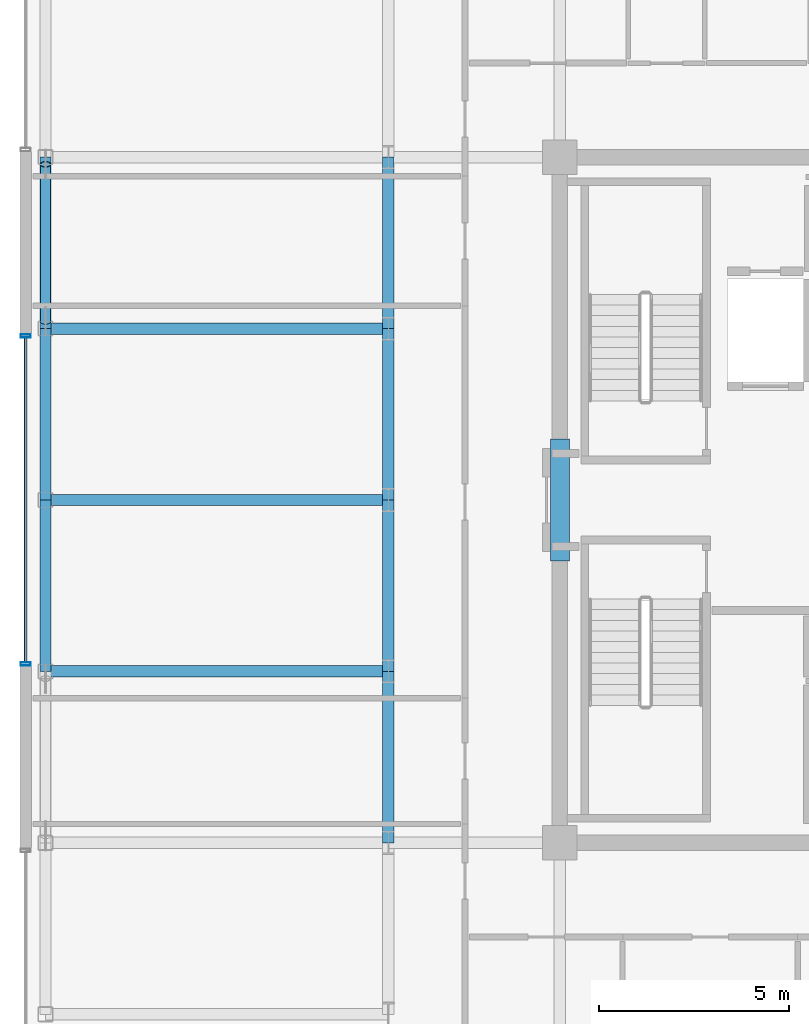
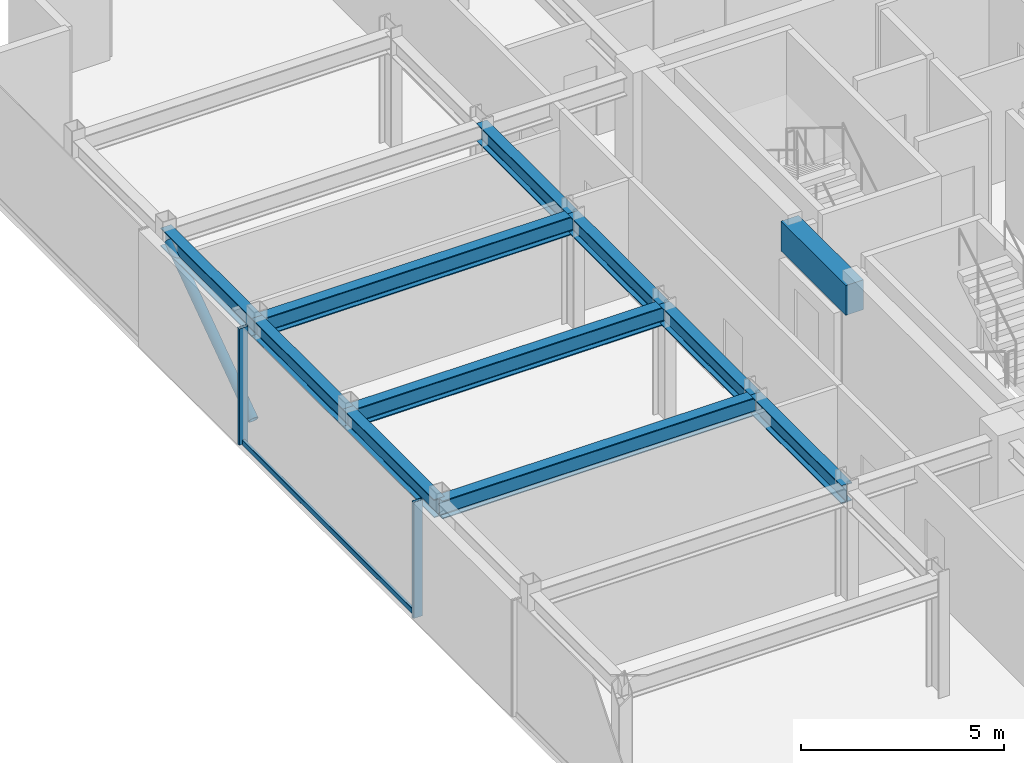
# One storey, part 4 of 16: 11 beams, 4 members, 1 element without a shape of its own.
"""IFC4 building model written with IfcOpenShell, lengths in metres."""

from ifc_helpers import new_model, si_unit, direction, frame, origin, origin_2d, place, context, subcontext, project, spatial, rectangle, hollow_rectangle, hollow_circle, i_section, extrude, source, transform, mapped, material, layer, layer_set, material_profile, profile_set, type_object, element, aggregate, save


model = new_model("IFC4")

# Units and contexts
model_context = context("Model", 3, precision=1e-05, world=origin(), true_north=direction((0.0, 1.0)))
body_context = subcontext(model_context, "Body", "Model", "MODEL_VIEW")
ifc_project = project(units=[si_unit("LENGTHUNIT", "METRE"), si_unit("AREAUNIT", "SQUARE_METRE"), si_unit("VOLUMEUNIT", "CUBIC_METRE"), si_unit("PLANEANGLEUNIT", "RADIAN"), si_unit("MASSUNIT", "GRAM", prefix="KILO")], contexts=[model_context])

# Site, building, storey
site_placement = place(None, origin())
site = spatial("IfcSite", under=ifc_project, at=site_placement, CompositionType="ELEMENT")
building_placement = place(site_placement, origin())
building = spatial("IfcBuilding", under=site, at=building_placement, Name="Nefas-Gora Pilgrimage Tower", CompositionType="ELEMENT")
storey_placement = place(building_placement, frame((0.0, 0.0, 345.199951171875)))
storey = spatial("IfcBuildingStorey", under=building, at=storey_placement, Name="L87", CompositionType="ELEMENT", Elevation=345.199951171875)

# Beams
ifc_material_1 = material(Name="Concrete C50/60", Category="concrete")
ifc_material_profile_1 = material_profile(ifc_material_1, rectangle(XDim=0.5, YDim=0.89990234375, at=origin_2d()), Name="RC 500x900")
ifc_profile_set_1 = profile_set([ifc_material_profile_1], Name="Concrete C50/60")
beam_type_1 = type_object("IfcBeamType", Name="BM-LIN-RC900", PredefinedType="LINTEL", material=ifc_profile_set_1)
shared_shape_1 = source(origin(), body_context, "Body", "SweptSolid", [
    extrude(rectangle(XDim=0.5, YDim=0.89990234375, at=origin_2d()), origin(), (0.0, 0.0, 1.0), 3.2001953125),
])
beam_placement = place(storey_placement, frame((-11.25, -1.60009765625, 3.050048828125), z_axis=(0.0, 1.0, 0.0), x_axis=(-1.0, 0.0, 0.0)))
element("IfcBeam", 1, at=beam_placement, inside=storey, type_object=beam_type_1, Name="L87 Core Coupling Lintel Beam W", PredefinedType="LINTEL", context=body_context, shape_type="MappedRepresentation", body=[
    mapped(shared_shape_1, transform((0.0, 0.0, 0.0), x_axis=(1.0, 0.0, 0.0), y_axis=(0.0, 1.0, 0.0), z_axis=(0.0, 0.0, 1.0), scale=1.0)),
])
ifc_material_2 = material(Name="Steel S355", Category="steel")
ifc_material_profile_2 = material_profile(ifc_material_2, i_section(OverallWidth=0.300048828125, OverallDepth=0.550048828125, WebThickness=0.014892578125, FlangeThickness=0.029052734375, FilletRadius=0.027099609375, at=origin_2d()), Name="HEB 550")
ifc_profile_set_2 = profile_set([ifc_material_profile_2], Name="Steel S355")
beam_type_2 = type_object("IfcBeamType", Name="BM-SPN-HEB400", PredefinedType="SPANDREL", material=ifc_profile_set_2)
shared_shape_2 = source(origin(), body_context, "Body", "SweptSolid", [
    extrude(i_section(OverallWidth=0.300048828125, OverallDepth=0.550048828125, WebThickness=0.014892578125, FlangeThickness=0.029052734375, FilletRadius=0.027099609375, at=origin_2d()), origin(), (0.0, 0.0, 1.0), 4.5),
])
for number, where, z_axis, x_axis, name in (
    (2, (-24.75, -4.5, 3.22509765625), (0.0, 1.0, 0.0), (-1.0, 0.0, 0.0), "L87 SP-04 beam"),
    (3, (-24.75, 0.0, 3.22509765625), (0.0, 1.0, 0.0), (-1.0, 0.0, 0.0), "L87 SP-04 beam"),
    (4, (-24.75, 4.5, 3.22509765625), (0.0, 1.0, 0.0), (-1.0, 0.0, 0.0), "L87 SP-04 beam"),
):
    element("IfcBeam", number, at=place(storey_placement, frame(where, z_axis=z_axis, x_axis=x_axis)), inside=storey, type_object=beam_type_2, Name=name, PredefinedType="SPANDREL", context=body_context, shape_type="MappedRepresentation", body=[
        mapped(shared_shape_2, transform((0.0, 0.0, 0.0), x_axis=(1.0, 0.0, 0.0), y_axis=(0.0, 1.0, 0.0), z_axis=(0.0, 0.0, 1.0), scale=1.0)),
    ])
ifc_material_profile_3 = material_profile(ifc_material_2, i_section(OverallWidth=0.300048828125, OverallDepth=0.550048828125, WebThickness=0.014892578125, FlangeThickness=0.029052734375, FilletRadius=0.027099609375, at=origin_2d()), Name="HEB 550")
ifc_profile_set_3 = profile_set([ifc_material_profile_3], Name="Steel S355")
beam_type_3 = type_object("IfcBeamType", Name="BM-GIR-HEB550", PredefinedType="BEAM", material=ifc_profile_set_3)
shared_shape_3 = source(origin(), body_context, "Body", "SweptSolid", [
    extrude(i_section(OverallWidth=0.300048828125, OverallDepth=0.550048828125, WebThickness=0.014892578125, FlangeThickness=0.029052734375, FilletRadius=0.027099609375, at=origin_2d()), origin(), (0.0, 0.0, 1.0), 9.0),
])
for number, where, z_axis, x_axis, name in (
    (5, (-24.75, -4.5, 3.22509765625), (1.0, 0.0, 0.0), (0.0, 1.0, 0.0), "L87 G-05 beam"),
    (6, (-24.75, 0.0, 3.22509765625), (1.0, 0.0, 0.0), (0.0, 1.0, 0.0), "L87 G-05 beam"),
    (7, (-24.75, 4.5, 3.22509765625), (1.0, 0.0, 0.0), (0.0, 1.0, 0.0), "L87 G-05 beam"),
):
    element("IfcBeam", number, at=place(storey_placement, frame(where, z_axis=z_axis, x_axis=x_axis)), inside=storey, type_object=beam_type_3, Name=name, PredefinedType="BEAM", context=body_context, shape_type="MappedRepresentation", body=[
        mapped(shared_shape_3, transform((0.0, 0.0, 0.0), x_axis=(1.0, 0.0, 0.0), y_axis=(0.0, 1.0, 0.0), z_axis=(0.0, 0.0, 1.0), scale=1.0)),
    ])
shared_shape_4 = source(origin(), body_context, "Body", "SweptSolid", [
    extrude(i_section(OverallWidth=0.300048828125, OverallDepth=0.550048828125, WebThickness=0.014892578125, FlangeThickness=0.029052734375, FilletRadius=0.027099609375, at=origin_2d()), origin(), (0.0, 0.0, 1.0), 4.5),
])
for number, where, z_axis, x_axis, name in (
    (8, (-15.75, -9.0, 3.22509765625), (0.0, 1.0, 0.0), (-1.0, 0.0, 0.0), "L87 G-05 beam"),
    (9, (-15.75, -4.5, 3.22509765625), (0.0, 1.0, 0.0), (-1.0, 0.0, 0.0), "L87 G-05 beam"),
    (10, (-15.75, 0.0, 3.22509765625), (0.0, 1.0, 0.0), (-1.0, 0.0, 0.0), "L87 G-05 beam"),
    (11, (-15.75, 4.5, 3.22509765625), (0.0, 1.0, 0.0), (-1.0, 0.0, 0.0), "L87 G-05 beam"),
):
    element("IfcBeam", number, at=place(storey_placement, frame(where, z_axis=z_axis, x_axis=x_axis)), inside=storey, type_object=beam_type_3, Name=name, PredefinedType="BEAM", context=body_context, shape_type="MappedRepresentation", body=[
        mapped(shared_shape_4, transform((0.0, 0.0, 0.0), x_axis=(1.0, 0.0, 0.0), y_axis=(0.0, 1.0, 0.0), z_axis=(0.0, 0.0, 1.0), scale=1.0)),
    ])

# Member
ifc_material_profile_4 = material_profile(ifc_material_2, hollow_circle(Radius=0.136474609375, WallThickness=0.01611328125, at=origin_2d()), Name="CHS 273x16")
ifc_profile_set_4 = profile_set([ifc_material_profile_4], Name="Steel S355")
member_type_1 = type_object("IfcMemberType", Name="MEM-TUBE-273", PredefinedType="BRACE", material=ifc_profile_set_4)
shared_shape_5 = source(origin(), body_context, "Body", "SweptSolid", [
    extrude(hollow_circle(Radius=0.136474609375, WallThickness=0.01611328125, at=origin_2d()), origin(), (0.0, 0.0, 1.0), 5.044677734375),
])
member_1_placement = place(storey_placement, frame((-24.75, 4.68798828125, 0.282470703125), z_axis=(0.0, 0.817509361732, 0.575915309295), x_axis=(-1.0, 0.0, 0.0)))
element("IfcMember", 12, at=member_1_placement, inside=storey, type_object=member_type_1, Name="L87 Perimeter Tube Diagonal Brace W2", PredefinedType="BRACE", context=body_context, shape_type="MappedRepresentation", body=[
    mapped(shared_shape_5, transform((0.0, 0.0, 0.0), x_axis=(1.0, 0.0, 0.0), y_axis=(0.0, 1.0, 0.0), z_axis=(0.0, 0.0, 1.0), scale=1.0)),
])

# Curtain wall, members
ifc_material_3 = material(Name="Dark ceramic-fritted solar-control aluminium-glass curtain wall", Category="aluminium")
ifc_layer = layer(ifc_material_3, 0.219970703125)
ifc_layer_set = layer_set([ifc_layer], Name="Dark ceramic-fritted solar-control aluminium-glass curtain wall")
curtain_wall_type = type_object("IfcCurtainWallType", Name="CW-SYS-4", PredefinedType="NOTDEFINED", material=ifc_layer_set)
curtain_wall_placement = place(storey_placement, origin())
curtain_wall = element("IfcCurtainWall", 13, at=curtain_wall_placement, inside=storey, type_object=curtain_wall_type, Name="L87 Unitised Curtain Wall CW4", PredefinedType="NOTDEFINED")
ifc_material_4 = material(Name="Anodised architectural aluminium", Category="aluminium")
ifc_material_profile_5 = material_profile(ifc_material_4, hollow_rectangle(XDim=0.080078125, YDim=0.159912109375, WallThickness=0.00439453125, InnerFilletRadius=0.00439453125, OuterFilletRadius=0.009033203125, at=origin_2d()), Name="ALU TRANSOM 80x160")
ifc_profile_set_5 = profile_set([ifc_material_profile_5], Name="Anodised architectural aluminium")
member_type_2 = type_object("IfcMemberType", Name="CWM-TRN-4", PredefinedType="USERDEFINED", material=ifc_profile_set_5)
shared_shape_6 = source(origin(), body_context, "Body", "SweptSolid", [
    extrude(hollow_rectangle(XDim=0.080078125, YDim=0.159912109375, WallThickness=0.00439453125, InnerFilletRadius=0.00439453125, OuterFilletRadius=0.009033203125, at=origin_2d()), origin(), (0.0, 0.0, 1.0), 8.52001953125),
])
member_2_placement = place(storey_placement, frame((-25.27001953125, 4.260009765625, 0.050048828125), z_axis=(0.0, -1.0, 0.0), x_axis=(1.0, 0.0, 0.0)))
member_2 = element("IfcMember", 14, at=member_2_placement, type_object=member_type_2, Name="CW4 Spandrel Transom", ObjectType="TRANSOM", PredefinedType="USERDEFINED", context=body_context, shape_type="MappedRepresentation", body=[
    mapped(shared_shape_6, transform((0.0, 0.0, 0.0), x_axis=(1.0, 0.0, 0.0), y_axis=(0.0, 1.0, 0.0), z_axis=(0.0, 0.0, 1.0), scale=1.0)),
])
ifc_material_profile_6 = material_profile(ifc_material_4, hollow_rectangle(XDim=0.090087890625, YDim=0.260009765625, WallThickness=0.006103515625, InnerFilletRadius=0.006103515625, OuterFilletRadius=0.011962890625, at=origin_2d()), Name="ALU MULLION 90x260")
ifc_profile_set_6 = profile_set([ifc_material_profile_6], Name="Anodised architectural aluminium")
member_type_3 = type_object("IfcMemberType", Name="CWM-MUL-4", PredefinedType="MULLION", material=ifc_profile_set_6)
shared_shape_7 = source(origin(), body_context, "Body", "SweptSolid", [
    extrude(hollow_rectangle(XDim=0.090087890625, YDim=0.260009765625, WallThickness=0.006103515625, InnerFilletRadius=0.006103515625, OuterFilletRadius=0.011962890625, at=origin_2d()), origin(), (0.0, 0.0, 1.0), 3.5),
])
member_3_placement = place(storey_placement, frame((-25.27001953125, 4.304931640625, 0.0), z_axis=(0.0, 0.0, 1.0), x_axis=(0.0, -1.0, 0.0)))
member_3 = element("IfcMember", 15, at=member_3_placement, type_object=member_type_3, Name="CW4 Mullion 1", PredefinedType="MULLION", context=body_context, shape_type="MappedRepresentation", body=[
    mapped(shared_shape_7, transform((0.0, 0.0, 0.0), x_axis=(1.0, 0.0, 0.0), y_axis=(0.0, 1.0, 0.0), z_axis=(0.0, 0.0, 1.0), scale=1.0)),
])
member_4_placement = place(storey_placement, frame((-25.27001953125, -4.304931640625, 0.0), z_axis=(0.0, 0.0, 1.0), x_axis=(0.0, -1.0, 0.0)))
member_4 = element("IfcMember", 16, at=member_4_placement, type_object=member_type_3, Name="CW4 Mullion 2", PredefinedType="MULLION", context=body_context, shape_type="MappedRepresentation", body=[
    mapped(shared_shape_7, transform((0.0, 0.0, 0.0), x_axis=(1.0, 0.0, 0.0), y_axis=(0.0, 1.0, 0.0), z_axis=(0.0, 0.0, 1.0), scale=1.0)),
])
aggregate(curtain_wall, [member_3, member_4, member_2])

save(model, "model.ifc")
